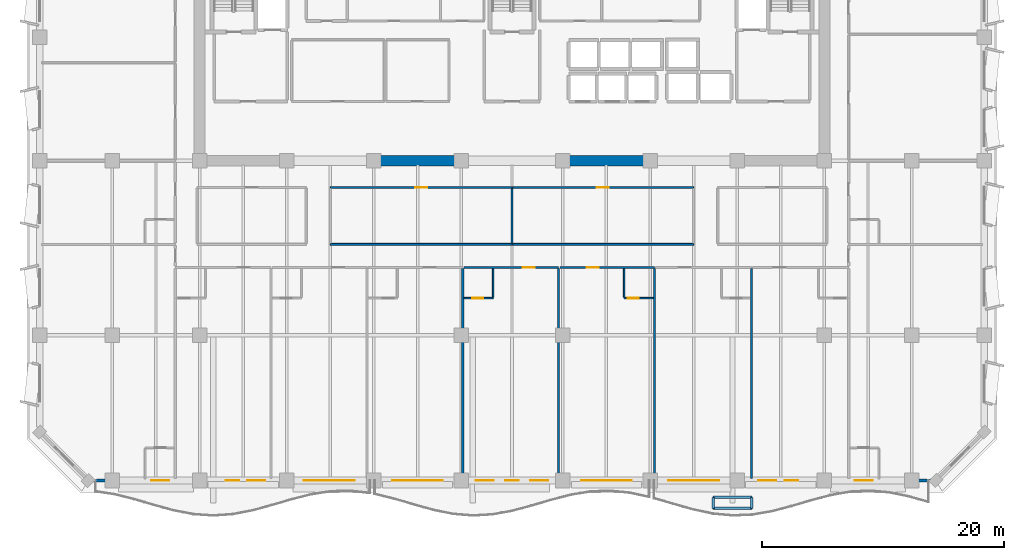
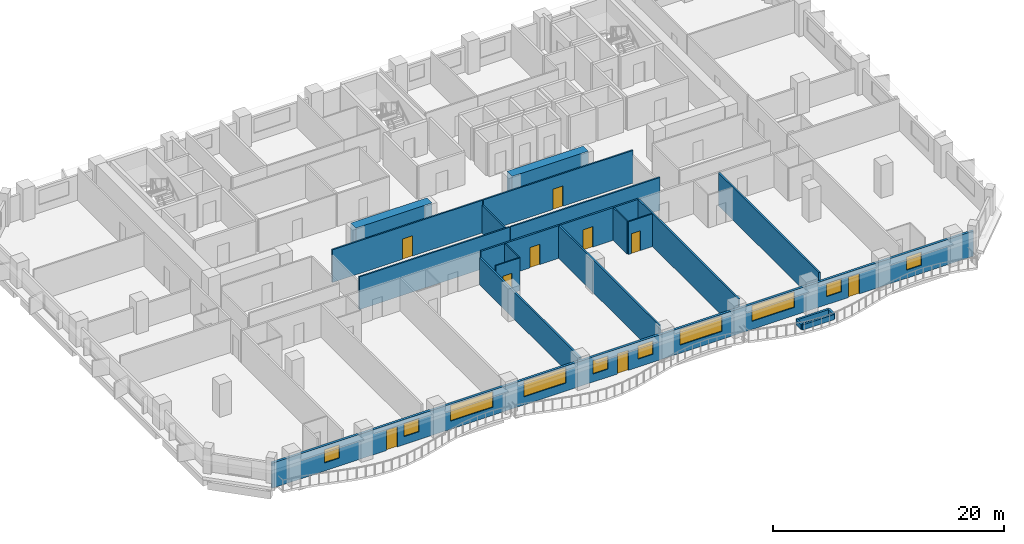
# One storey, part 5 of 15: 22 walls, 10 windows, 9 doors, 19 openings.
"""IFC4 building model written with IfcOpenShell, lengths in metres."""

from ifc_helpers import new_model, si_unit, direction, frame, frame_2d, origin, place, context, subcontext, project, spatial, rectangle, extrude, material, layer, layer_set, type_object, element, fill, save


model = new_model("IFC4")

# Units and contexts
model_context = context("Model", 3, precision=1e-05, world=origin(), true_north=direction((0.0, 1.0)))
body_context = subcontext(model_context, "Body", "Model", "MODEL_VIEW")
ifc_project = project(units=[si_unit("LENGTHUNIT", "METRE"), si_unit("AREAUNIT", "SQUARE_METRE"), si_unit("VOLUMEUNIT", "CUBIC_METRE"), si_unit("PLANEANGLEUNIT", "RADIAN"), si_unit("MASSUNIT", "GRAM", prefix="KILO")], contexts=[model_context])

# Site, building, storey
site_placement = place(None, origin())
site = spatial("IfcSite", under=ifc_project, at=site_placement, CompositionType="ELEMENT")
building_placement = place(site_placement, origin())
building = spatial("IfcBuilding", under=site, at=building_placement, Name="Kaelvorn Grand Hotel", CompositionType="ELEMENT")
storey_placement = place(building_placement, frame((0.0, 0.0, 180.949951171875)))
storey = spatial("IfcBuildingStorey", under=building, at=storey_placement, Name="L44", CompositionType="ELEMENT", Elevation=180.949951171875)

# Walls
ifc_material_1 = material(Name="Concrete C60/75", Category="concrete")
ifc_layer_1 = layer(ifc_material_1, 0.89990234375)
ifc_layer_set_1 = layer_set([ifc_layer_1], Name="Concrete C60/75")
wall_type_1 = type_object("IfcWallType", Name="WL-CORE-900-C60", PredefinedType="SHEAR", material=ifc_layer_set_1)
for number, where, z_axis, x_axis, name in (
    (1, (30.39990234375, 29.39990234375, 0.0), (0.0, 0.0, 1.0), (1.0, 0.0, 0.0), "L44 Rear-Core Coupled Shear Pier S2"),
    (2, (46.0, 29.39990234375, 0.0), (0.0, 0.0, 1.0), (1.0, 0.0, 0.0), "L44 Rear-Core Coupled Shear Pier S3"),
):
    element("IfcWall", number, at=place(storey_placement, frame(where, z_axis=z_axis, x_axis=x_axis)), inside=storey, type_object=wall_type_1, Name=name, PredefinedType="SHEAR", context=body_context, shape_type="SweptSolid", body=[
        extrude(rectangle(XDim=7.60009765625, YDim=0.89990234375, at=frame_2d((3.800048828125, 0.0))), origin(), (0.0, 0.0, 1.0), 3.449951171875),
    ])

# Wall, openings, doors, windows
ifc_material_2 = material(Name="Concrete C40/50", Category="concrete")
ifc_layer_2 = layer(ifc_material_2, 0.239990234375)
ifc_layer_set_2 = layer_set([ifc_layer_2], Name="Concrete C40/50")
wall_type_2 = type_object("IfcWallType", Name="WL-EXT-240-C40", PredefinedType="SOLIDWALL", material=ifc_layer_set_2)
wall_1_placement = place(storey_placement, frame((7.0, 3.0, 0.0), z_axis=(0.0, 0.0, 1.0), x_axis=(1.0, 0.0, 0.0)))
wall_1 = element("IfcWall", 3, at=wall_1_placement, inside=storey, type_object=wall_type_2, Name="L44 Exterior Architectural Concrete Wall 01", PredefinedType="SOLIDWALL", context=body_context, shape_type="SweptSolid", body=[
    extrude(rectangle(XDim=70.0, YDim=0.239990234375, at=frame_2d((35.0, 0.0))), origin(), (0.0, 0.0, 1.0), 2.650146484375),
])
opening_1_placement = place(wall_1_placement, frame((11.38330078125, 0.0, 0.0)))
opening_1 = element("IfcOpeningElement", 4, at=opening_1_placement, cuts=wall_1, Name="Opening DE2", PredefinedType="OPENING", context=body_context, shape_type="SweptSolid", body=[
    extrude(rectangle(XDim=1.10009765625, YDim=2.14990234375, at=frame_2d((0.550048828125, 1.074951171875))), frame((0.0, 0.1298828125, 0.0), z_axis=(0.0, -1.0, 0.0), x_axis=(1.0, 0.0, 0.0)), (0.0, 0.0, 1.0), 0.260009765625),
])
opening_2_placement = place(wall_1_placement, frame((34.449951171875, 0.0, 0.0)))
opening_2 = element("IfcOpeningElement", 5, at=opening_2_placement, cuts=wall_1, Name="Opening DE2", PredefinedType="OPENING", context=body_context, shape_type="SweptSolid", body=[
    extrude(rectangle(XDim=1.10009765625, YDim=2.14990234375, at=frame_2d((0.550048828125, 1.074951171875))), frame((0.0, 0.1298828125, 0.0), z_axis=(0.0, -1.0, 0.0), x_axis=(1.0, 0.0, 0.0)), (0.0, 0.0, 1.0), 0.260009765625),
])
opening_3_placement = place(wall_1_placement, frame((57.5166015625, 0.0, 0.0)))
opening_3 = element("IfcOpeningElement", 6, at=opening_3_placement, cuts=wall_1, Name="Opening DE2", PredefinedType="OPENING", context=body_context, shape_type="SweptSolid", body=[
    extrude(rectangle(XDim=1.10009765625, YDim=2.14990234375, at=frame_2d((0.550048828125, 1.074951171875))), frame((0.0, 0.1298828125, 0.0), z_axis=(0.0, -1.0, 0.0), x_axis=(1.0, 0.0, 0.0)), (0.0, 0.0, 1.0), 0.260009765625),
])
opening_4_placement = place(wall_1_placement, frame((5.199951171875, 0.0, 0.85009765625)))
opening_4 = element("IfcOpeningElement", 7, at=opening_4_placement, cuts=wall_1, Name="Opening W10", PredefinedType="OPENING", context=body_context, shape_type="SweptSolid", body=[
    extrude(rectangle(XDim=1.5, YDim=1.39990234375, at=frame_2d((0.75, 0.699951171875))), frame((0.0, 0.1298828125, 0.0), z_axis=(0.0, -1.0, 0.0), x_axis=(1.0, 0.0, 0.0)), (0.0, 0.0, 1.0), 0.260009765625),
])
opening_5_placement = place(wall_1_placement, frame((13.132568359375, 0.0, 0.85009765625)))
opening_5 = element("IfcOpeningElement", 8, at=opening_5_placement, cuts=wall_1, Name="Opening W10", PredefinedType="OPENING", context=body_context, shape_type="SweptSolid", body=[
    extrude(rectangle(XDim=1.5, YDim=1.39990234375, at=frame_2d((0.75, 0.699951171875))), frame((0.0, 0.1298828125, 0.0), z_axis=(0.0, -1.0, 0.0), x_axis=(1.0, 0.0, 0.0)), (0.0, 0.0, 1.0), 0.260009765625),
])
opening_6_placement = place(wall_1_placement, frame((17.8125, 0.0, 0.85009765625)))
opening_6 = element("IfcOpeningElement", 9, at=opening_6_placement, cuts=wall_1, Name="Opening W2", PredefinedType="OPENING", context=body_context, shape_type="SweptSolid", body=[
    extrude(rectangle(XDim=4.199951171875, YDim=1.64990234375, at=frame_2d((2.10009765625, 0.824951171875))), frame((0.0, 0.1298828125, 0.0), z_axis=(0.0, -1.0, 0.0), x_axis=(1.0, 0.0, 0.0)), (0.0, 0.0, 1.0), 0.260009765625),
])
opening_7_placement = place(wall_1_placement, frame((25.10009765625, 0.0, 0.85009765625)))
opening_7 = element("IfcOpeningElement", 10, at=opening_7_placement, cuts=wall_1, Name="Opening W2", PredefinedType="OPENING", context=body_context, shape_type="SweptSolid", body=[
    extrude(rectangle(XDim=4.199951171875, YDim=1.64990234375, at=frame_2d((2.10009765625, 0.824951171875))), frame((0.0, 0.1298828125, 0.0), z_axis=(0.0, -1.0, 0.0), x_axis=(1.0, 0.0, 0.0)), (0.0, 0.0, 1.0), 0.260009765625),
])
opening_8_placement = place(wall_1_placement, frame((31.989990234375, 0.0, 0.85009765625)))
opening_8 = element("IfcOpeningElement", 11, at=opening_8_placement, cuts=wall_1, Name="Opening W10", PredefinedType="OPENING", context=body_context, shape_type="SweptSolid", body=[
    extrude(rectangle(XDim=1.5, YDim=1.39990234375, at=frame_2d((0.75, 0.699951171875))), frame((0.0, 0.1298828125, 0.0), z_axis=(0.0, -1.0, 0.0), x_axis=(1.0, 0.0, 0.0)), (0.0, 0.0, 1.0), 0.260009765625),
])
opening_9_placement = place(wall_1_placement, frame((36.510009765625, 0.0, 0.85009765625)))
opening_9 = element("IfcOpeningElement", 12, at=opening_9_placement, cuts=wall_1, Name="Opening W10", PredefinedType="OPENING", context=body_context, shape_type="SweptSolid", body=[
    extrude(rectangle(XDim=1.5, YDim=1.39990234375, at=frame_2d((0.75, 0.699951171875))), frame((0.0, 0.1298828125, 0.0), z_axis=(0.0, -1.0, 0.0), x_axis=(1.0, 0.0, 0.0)), (0.0, 0.0, 1.0), 0.260009765625),
])
opening_10_placement = place(wall_1_placement, frame((40.699951171875, 0.0, 0.85009765625)))
opening_10 = element("IfcOpeningElement", 13, at=opening_10_placement, cuts=wall_1, Name="Opening W2", PredefinedType="OPENING", context=body_context, shape_type="SweptSolid", body=[
    extrude(rectangle(XDim=4.199951171875, YDim=1.64990234375, at=frame_2d((2.10009765625, 0.824951171875))), frame((0.0, 0.1298828125, 0.0), z_axis=(0.0, -1.0, 0.0), x_axis=(1.0, 0.0, 0.0)), (0.0, 0.0, 1.0), 0.260009765625),
])
opening_11_placement = place(wall_1_placement, frame((47.89990234375, 0.0, 0.85009765625)))
opening_11 = element("IfcOpeningElement", 14, at=opening_11_placement, cuts=wall_1, Name="Opening W2", PredefinedType="OPENING", context=body_context, shape_type="SweptSolid", body=[
    extrude(rectangle(XDim=4.199951171875, YDim=1.64990234375, at=frame_2d((2.10009765625, 0.824951171875))), frame((0.0, 0.1298828125, 0.0), z_axis=(0.0, -1.0, 0.0), x_axis=(1.0, 0.0, 0.0)), (0.0, 0.0, 1.0), 0.260009765625),
])
opening_12_placement = place(wall_1_placement, frame((55.31396484375, 0.0, 0.85009765625)))
opening_12 = element("IfcOpeningElement", 15, at=opening_12_placement, cuts=wall_1, Name="Opening W10", PredefinedType="OPENING", context=body_context, shape_type="SweptSolid", body=[
    extrude(rectangle(XDim=1.5, YDim=1.39990234375, at=frame_2d((0.75, 0.699951171875))), frame((0.0, 0.1298828125, 0.0), z_axis=(0.0, -1.0, 0.0), x_axis=(1.0, 0.0, 0.0)), (0.0, 0.0, 1.0), 0.260009765625),
])
opening_13_placement = place(wall_1_placement, frame((63.300048828125, 0.0, 0.85009765625)))
opening_13 = element("IfcOpeningElement", 16, at=opening_13_placement, cuts=wall_1, Name="Opening W10", PredefinedType="OPENING", context=body_context, shape_type="SweptSolid", body=[
    extrude(rectangle(XDim=1.5, YDim=1.39990234375, at=frame_2d((0.75, 0.699951171875))), frame((0.0, 0.1298828125, 0.0), z_axis=(0.0, -1.0, 0.0), x_axis=(1.0, 0.0, 0.0)), (0.0, 0.0, 1.0), 0.260009765625),
])
ifc_material_3 = material(Name="Anodised Aluminium", Category="aluminium")
door_type_1 = type_object("IfcDoorType", Name="DR-EXT-BALC-1100x2150", OperationType="NOTDEFINED", PredefinedType="DOOR", material=ifc_material_3)
door_1_placement = place(opening_1_placement, origin())
door_1 = element("IfcDoor", 17, at=door_1_placement, inside=storey, type_object=door_type_1, Name="L44 Scalloped Balcony Glazed Door DE2-1", OperationType="SINGLE_SWING_RIGHT", OverallHeight=2.14990234375, OverallWidth=1.10009765625, PredefinedType="DOOR", context=body_context, shape_type="SweptSolid", body=[
    extrude(rectangle(XDim=1.10009765625, YDim=2.14990234375, at=frame_2d((0.550048828125, 1.074951171875))), frame((0.0, 0.02490234375, 0.0), z_axis=(0.0, -1.0, 0.0), x_axis=(1.0, 0.0, 0.0)), (0.0, 0.0, 1.0), 0.050048828125),
])
fill(opening_1, door_1)
door_2_placement = place(opening_2_placement, origin())
door_2 = element("IfcDoor", 18, at=door_2_placement, inside=storey, type_object=door_type_1, Name="L44 Scalloped Balcony Glazed Door DE2-2", OperationType="SINGLE_SWING_LEFT", OverallHeight=2.14990234375, OverallWidth=1.10009765625, PredefinedType="DOOR", context=body_context, shape_type="SweptSolid", body=[
    extrude(rectangle(XDim=1.10009765625, YDim=2.14990234375, at=frame_2d((0.550048828125, 1.074951171875))), frame((0.0, 0.02490234375, 0.0), z_axis=(0.0, -1.0, 0.0), x_axis=(1.0, 0.0, 0.0)), (0.0, 0.0, 1.0), 0.050048828125),
])
fill(opening_2, door_2)
door_3_placement = place(opening_3_placement, origin())
door_3 = element("IfcDoor", 19, at=door_3_placement, inside=storey, type_object=door_type_1, Name="L44 Scalloped Balcony Glazed Door DE2-3", OperationType="SINGLE_SWING_RIGHT", OverallHeight=2.14990234375, OverallWidth=1.10009765625, PredefinedType="DOOR", context=body_context, shape_type="SweptSolid", body=[
    extrude(rectangle(XDim=1.10009765625, YDim=2.14990234375, at=frame_2d((0.550048828125, 1.074951171875))), frame((0.0, 0.02490234375, 0.0), z_axis=(0.0, -1.0, 0.0), x_axis=(1.0, 0.0, 0.0)), (0.0, 0.0, 1.0), 0.050048828125),
])
fill(opening_3, door_3)
ifc_material_4 = material(Name="Laminated Low-E Glass", Category="glass")
window_type_1 = type_object("IfcWindowType", Name="WIN-COR-1500x1400", PartitioningType="SINGLE_PANEL", PredefinedType="WINDOW", material=ifc_material_4)
window_1_placement = place(opening_4_placement, origin())
window_1 = element("IfcWindow", 20, at=window_1_placement, inside=storey, type_object=window_type_1, Name="L44 South Guestroom Ribbon Window SR01", OverallHeight=1.39990234375, OverallWidth=1.5, PartitioningType="SINGLE_PANEL", PredefinedType="WINDOW", context=body_context, shape_type="SweptSolid", body=[
    extrude(rectangle(XDim=1.5, YDim=1.39990234375, at=frame_2d((0.75, 0.699951171875))), frame((0.0, 0.030029296875, 0.0), z_axis=(0.0, -1.0, 0.0), x_axis=(1.0, 0.0, 0.0)), (0.0, 0.0, 1.0), 0.06005859375),
])
fill(opening_4, window_1)
window_2_placement = place(opening_5_placement, origin())
window_2 = element("IfcWindow", 21, at=window_2_placement, inside=storey, type_object=window_type_1, Name="L44 South Guestroom Ribbon Window SR02", OverallHeight=1.39990234375, OverallWidth=1.5, PartitioningType="SINGLE_PANEL", PredefinedType="WINDOW", context=body_context, shape_type="SweptSolid", body=[
    extrude(rectangle(XDim=1.5, YDim=1.39990234375, at=frame_2d((0.75, 0.699951171875))), frame((0.0, 0.030029296875, 0.0), z_axis=(0.0, -1.0, 0.0), x_axis=(1.0, 0.0, 0.0)), (0.0, 0.0, 1.0), 0.06005859375),
])
fill(opening_5, window_2)
window_3_placement = place(opening_8_placement, origin())
window_3 = element("IfcWindow", 22, at=window_3_placement, inside=storey, type_object=window_type_1, Name="L44 South Guestroom Ribbon Window SR05", OverallHeight=1.39990234375, OverallWidth=1.5, PartitioningType="SINGLE_PANEL", PredefinedType="WINDOW", context=body_context, shape_type="SweptSolid", body=[
    extrude(rectangle(XDim=1.5, YDim=1.39990234375, at=frame_2d((0.75, 0.699951171875))), frame((0.0, 0.030029296875, 0.0), z_axis=(0.0, -1.0, 0.0), x_axis=(1.0, 0.0, 0.0)), (0.0, 0.0, 1.0), 0.06005859375),
])
fill(opening_8, window_3)
window_4_placement = place(opening_9_placement, origin())
window_4 = element("IfcWindow", 23, at=window_4_placement, inside=storey, type_object=window_type_1, Name="L44 South Guestroom Ribbon Window SR06", OverallHeight=1.39990234375, OverallWidth=1.5, PartitioningType="SINGLE_PANEL", PredefinedType="WINDOW", context=body_context, shape_type="SweptSolid", body=[
    extrude(rectangle(XDim=1.5, YDim=1.39990234375, at=frame_2d((0.75, 0.699951171875))), frame((0.0, 0.030029296875, 0.0), z_axis=(0.0, -1.0, 0.0), x_axis=(1.0, 0.0, 0.0)), (0.0, 0.0, 1.0), 0.06005859375),
])
fill(opening_9, window_4)
window_5_placement = place(opening_12_placement, origin())
window_5 = element("IfcWindow", 24, at=window_5_placement, inside=storey, type_object=window_type_1, Name="L44 South Guestroom Ribbon Window SR09", OverallHeight=1.39990234375, OverallWidth=1.5, PartitioningType="SINGLE_PANEL", PredefinedType="WINDOW", context=body_context, shape_type="SweptSolid", body=[
    extrude(rectangle(XDim=1.5, YDim=1.39990234375, at=frame_2d((0.75, 0.699951171875))), frame((0.0, 0.030029296875, 0.0), z_axis=(0.0, -1.0, 0.0), x_axis=(1.0, 0.0, 0.0)), (0.0, 0.0, 1.0), 0.06005859375),
])
fill(opening_12, window_5)
window_6_placement = place(opening_13_placement, origin())
window_6 = element("IfcWindow", 25, at=window_6_placement, inside=storey, type_object=window_type_1, Name="L44 South Guestroom Ribbon Window SR10", OverallHeight=1.39990234375, OverallWidth=1.5, PartitioningType="SINGLE_PANEL", PredefinedType="WINDOW", context=body_context, shape_type="SweptSolid", body=[
    extrude(rectangle(XDim=1.5, YDim=1.39990234375, at=frame_2d((0.75, 0.699951171875))), frame((0.0, 0.030029296875, 0.0), z_axis=(0.0, -1.0, 0.0), x_axis=(1.0, 0.0, 0.0)), (0.0, 0.0, 1.0), 0.06005859375),
])
fill(opening_13, window_6)
window_type_2 = type_object("IfcWindowType", Name="WIN-RIB-4200x1650", PartitioningType="SINGLE_PANEL", PredefinedType="WINDOW", material=ifc_material_4)
window_7_placement = place(opening_6_placement, origin())
window_7 = element("IfcWindow", 26, at=window_7_placement, inside=storey, type_object=window_type_2, Name="L44 South Guestroom Ribbon Window SR03", OverallHeight=1.64990234375, OverallWidth=4.199951171875, PartitioningType="SINGLE_PANEL", PredefinedType="WINDOW", context=body_context, shape_type="SweptSolid", body=[
    extrude(rectangle(XDim=4.199951171875, YDim=1.64990234375, at=frame_2d((2.10009765625, 0.824951171875))), frame((0.0, 0.030029296875, 0.0), z_axis=(0.0, -1.0, 0.0), x_axis=(1.0, 0.0, 0.0)), (0.0, 0.0, 1.0), 0.06005859375),
])
fill(opening_6, window_7)
window_8_placement = place(opening_7_placement, origin())
window_8 = element("IfcWindow", 27, at=window_8_placement, inside=storey, type_object=window_type_2, Name="L44 South Guestroom Ribbon Window SR04", OverallHeight=1.64990234375, OverallWidth=4.199951171875, PartitioningType="SINGLE_PANEL", PredefinedType="WINDOW", context=body_context, shape_type="SweptSolid", body=[
    extrude(rectangle(XDim=4.199951171875, YDim=1.64990234375, at=frame_2d((2.10009765625, 0.824951171875))), frame((0.0, 0.030029296875, 0.0), z_axis=(0.0, -1.0, 0.0), x_axis=(1.0, 0.0, 0.0)), (0.0, 0.0, 1.0), 0.06005859375),
])
fill(opening_7, window_8)
window_9_placement = place(opening_10_placement, origin())
window_9 = element("IfcWindow", 28, at=window_9_placement, inside=storey, type_object=window_type_2, Name="L44 South Guestroom Ribbon Window SR07", OverallHeight=1.64990234375, OverallWidth=4.199951171875, PartitioningType="SINGLE_PANEL", PredefinedType="WINDOW", context=body_context, shape_type="SweptSolid", body=[
    extrude(rectangle(XDim=4.199951171875, YDim=1.64990234375, at=frame_2d((2.10009765625, 0.824951171875))), frame((0.0, 0.030029296875, 0.0), z_axis=(0.0, -1.0, 0.0), x_axis=(1.0, 0.0, 0.0)), (0.0, 0.0, 1.0), 0.06005859375),
])
fill(opening_10, window_9)
window_10_placement = place(opening_11_placement, origin())
window_10 = element("IfcWindow", 29, at=window_10_placement, inside=storey, type_object=window_type_2, Name="L44 South Guestroom Ribbon Window SR08", OverallHeight=1.64990234375, OverallWidth=4.199951171875, PartitioningType="SINGLE_PANEL", PredefinedType="WINDOW", context=body_context, shape_type="SweptSolid", body=[
    extrude(rectangle(XDim=4.199951171875, YDim=1.64990234375, at=frame_2d((2.10009765625, 0.824951171875))), frame((0.0, 0.030029296875, 0.0), z_axis=(0.0, -1.0, 0.0), x_axis=(1.0, 0.0, 0.0)), (0.0, 0.0, 1.0), 0.06005859375),
])
fill(opening_11, window_10)

# Wall, opening, door
ifc_material_5 = material(Name="Moisture-Resistant Tile & Stud Board")
ifc_layer_3 = layer(ifc_material_5, 0.125)
ifc_layer_set_3 = layer_set([ifc_layer_3], Name="Moisture-Resistant Tile & Stud Board")
wall_type_3 = type_object("IfcWallType", Name="WL-PART-125-WET", PredefinedType="PARTITIONING", material=ifc_layer_set_3)
wall_2_placement = place(storey_placement, frame((38.031982421875, 18.050048828125, 0.0), z_axis=(0.0, 0.0, 1.0), x_axis=(1.0, 0.0, 0.0)))
wall_2 = element("IfcWall", 30, at=wall_2_placement, inside=storey, type_object=wall_type_3, Name="L44 En-suite Bathroom L44-04 S Partition", PredefinedType="PARTITIONING", context=body_context, shape_type="SweptSolid", body=[
    extrude(rectangle(XDim=2.405029296875, YDim=0.125, at=frame_2d((1.20263671875, 0.0))), origin(), (0.0, 0.0, 1.0), 3.449951171875),
])
opening_14_placement = place(wall_2_placement, frame((0.705078125, 0.0, 0.0)))
opening_14 = element("IfcOpeningElement", 31, at=opening_14_placement, cuts=wall_2, Name="Opening DI4", PredefinedType="OPENING", context=body_context, shape_type="SweptSolid", body=[
    extrude(rectangle(XDim=0.89990234375, YDim=2.10009765625, at=frame_2d((0.449951171875, 1.050048828125))), frame((0.0, 0.072509765625, 0.0), z_axis=(0.0, -1.0, 0.0), x_axis=(1.0, 0.0, 0.0)), (0.0, 0.0, 1.0), 0.14501953125),
])
ifc_material_6 = material(Name="Timber Veneer Leaf", Category="wood")
door_type_2 = type_object("IfcDoorType", Name="DR-INT-BATH-900x2100", OperationType="NOTDEFINED", PredefinedType="DOOR", material=ifc_material_6)
door_4_placement = place(opening_14_placement, origin())
door_4 = element("IfcDoor", 32, at=door_4_placement, inside=storey, type_object=door_type_2, Name="L44 En-suite Bathroom L44-04 Door", OperationType="SINGLE_SWING_RIGHT", OverallHeight=2.10009765625, OverallWidth=0.89990234375, PredefinedType="DOOR", context=body_context, shape_type="SweptSolid", body=[
    extrude(rectangle(XDim=0.89990234375, YDim=2.10009765625, at=frame_2d((0.449951171875, 1.050048828125))), frame((0.0, 0.02490234375, 0.0), z_axis=(0.0, -1.0, 0.0), x_axis=(1.0, 0.0, 0.0)), (0.0, 0.0, 1.0), 0.050048828125),
])
fill(opening_14, door_4)

# Wall
wall_3_placement = place(storey_placement, frame((40.43701171875, 18.117431640625, 0.0), z_axis=(0.0, 0.0, 1.0), x_axis=(0.0, 1.0, 0.0)))
element("IfcWall", 33, at=wall_3_placement, inside=storey, type_object=wall_type_3, Name="L44 En-suite Bathroom L44-04 E Partition", PredefinedType="PARTITIONING", context=body_context, shape_type="SweptSolid", body=[
    extrude(rectangle(XDim=2.387451171875, YDim=0.125, at=frame_2d((1.19384765625, 0.0))), origin(), (0.0, 0.0, 1.0), 3.449951171875),
])

# Wall, opening, door
wall_4_placement = place(storey_placement, frame((51.261474609375, 18.050048828125, 0.0), z_axis=(0.0, 0.0, 1.0), x_axis=(1.0, 0.0, 0.0)))
wall_4 = element("IfcWall", 34, at=wall_4_placement, inside=storey, type_object=wall_type_3, Name="L44 En-suite Bathroom L44-05 S Partition", PredefinedType="PARTITIONING", context=body_context, shape_type="SweptSolid", body=[
    extrude(rectangle(XDim=2.405029296875, YDim=0.125, at=frame_2d((1.20263671875, 0.0))), origin(), (0.0, 0.0, 1.0), 3.449951171875),
])
opening_15_placement = place(wall_4_placement, frame((0.300048828125, 0.0, 0.0)))
opening_15 = element("IfcOpeningElement", 35, at=opening_15_placement, cuts=wall_4, Name="Opening DI4", PredefinedType="OPENING", context=body_context, shape_type="SweptSolid", body=[
    extrude(rectangle(XDim=0.89990234375, YDim=2.10009765625, at=frame_2d((0.449951171875, 1.050048828125))), frame((0.0, 0.072509765625, 0.0), z_axis=(0.0, -1.0, 0.0), x_axis=(1.0, 0.0, 0.0)), (0.0, 0.0, 1.0), 0.14501953125),
])
door_5_placement = place(opening_15_placement, origin())
door_5 = element("IfcDoor", 36, at=door_5_placement, inside=storey, type_object=door_type_2, Name="L44 En-suite Bathroom L44-05 Door", OperationType="SINGLE_SWING_RIGHT", OverallHeight=2.10009765625, OverallWidth=0.89990234375, PredefinedType="DOOR", context=body_context, shape_type="SweptSolid", body=[
    extrude(rectangle(XDim=0.89990234375, YDim=2.10009765625, at=frame_2d((0.449951171875, 1.050048828125))), frame((0.0, 0.02490234375, 0.0), z_axis=(0.0, -1.0, 0.0), x_axis=(1.0, 0.0, 0.0)), (0.0, 0.0, 1.0), 0.050048828125),
])
fill(opening_15, door_5)

# Walls
wall_5_placement = place(storey_placement, frame((51.261474609375, 18.117431640625, 0.0), z_axis=(0.0, 0.0, 1.0), x_axis=(0.0, 1.0, 0.0)))
element("IfcWall", 37, at=wall_5_placement, inside=storey, type_object=wall_type_3, Name="L44 En-suite Bathroom L44-05 W Partition", PredefinedType="PARTITIONING", context=body_context, shape_type="SweptSolid", body=[
    extrude(rectangle(XDim=2.387451171875, YDim=0.125, at=frame_2d((1.19384765625, 0.0))), origin(), (0.0, 0.0, 1.0), 3.449951171875),
])
ifc_material_7 = material(Name="Acoustic Gypsum & Stud Partition")
ifc_layer_4 = layer(ifc_material_7, 0.14990234375)
ifc_layer_set_4 = layer_set([ifc_layer_4], Name="Acoustic Gypsum & Stud Partition")
wall_type_4 = type_object("IfcWallType", Name="WL-PART-150-EI60", PredefinedType="PARTITIONING", material=ifc_layer_set_4)
wall_6_placement = place(storey_placement, frame((27.0, 22.5, 0.0), z_axis=(0.0, 0.0, 1.0), x_axis=(1.0, 0.0, 0.0)))
element("IfcWall", 38, at=wall_6_placement, inside=storey, type_object=wall_type_4, Name="L44 Sommelier Wine Bar S Partition", PredefinedType="PARTITIONING", context=body_context, shape_type="SweptSolid", body=[
    extrude(rectangle(XDim=15.0, YDim=0.14990234375, at=frame_2d((7.5, 0.0))), origin(), (0.0, 0.0, 1.0), 3.449951171875),
])

# Wall, opening, door
wall_7_placement = place(storey_placement, frame((27.0, 27.199951171875, 0.0), z_axis=(0.0, 0.0, 1.0), x_axis=(1.0, 0.0, 0.0)))
wall_7 = element("IfcWall", 39, at=wall_7_placement, inside=storey, type_object=wall_type_4, Name="L44 Sommelier Wine Bar N Partition", PredefinedType="PARTITIONING", context=body_context, shape_type="SweptSolid", body=[
    extrude(rectangle(XDim=15.0, YDim=0.14990234375, at=frame_2d((7.5, 0.0))), origin(), (0.0, 0.0, 1.0), 3.449951171875),
])
opening_16_placement = place(wall_7_placement, frame((7.0, 0.0, 0.0)))
opening_16 = element("IfcOpeningElement", 40, at=opening_16_placement, cuts=wall_7, Name="Opening DI3", PredefinedType="OPENING", context=body_context, shape_type="SweptSolid", body=[
    extrude(rectangle(XDim=1.0, YDim=2.14990234375, at=frame_2d((0.5, 1.074951171875))), frame((0.0, 0.0849609375, 0.0), z_axis=(0.0, -1.0, 0.0), x_axis=(1.0, 0.0, 0.0)), (0.0, 0.0, 1.0), 0.169921875),
])
ifc_material_8 = material(Name="Timber Veneer Fire Leaf", Category="wood")
door_type_3 = type_object("IfcDoorType", Name="DR-INT-GUEST-1000x2150", OperationType="NOTDEFINED", PredefinedType="DOOR", material=ifc_material_8)
door_6_placement = place(opening_16_placement, origin())
door_6 = element("IfcDoor", 41, at=door_6_placement, inside=storey, type_object=door_type_3, Name="L44 Sommelier Wine Bar Door", OperationType="SINGLE_SWING_RIGHT", OverallHeight=2.14990234375, OverallWidth=1.0, PredefinedType="DOOR", context=body_context, shape_type="SweptSolid", body=[
    extrude(rectangle(XDim=1.0, YDim=2.14990234375, at=frame_2d((0.5, 1.074951171875))), frame((0.0, 0.02490234375, 0.0), z_axis=(0.0, -1.0, 0.0), x_axis=(1.0, 0.0, 0.0)), (0.0, 0.0, 1.0), 0.050048828125),
])
fill(opening_16, door_6)

# Walls
wall_8_placement = place(storey_placement, frame((42.0, 22.580078125, 0.0), z_axis=(0.0, 0.0, 1.0), x_axis=(0.0, 1.0, 0.0)))
element("IfcWall", 42, at=wall_8_placement, inside=storey, type_object=wall_type_4, Name="L44 Sommelier Wine Bar E Partition", PredefinedType="PARTITIONING", context=body_context, shape_type="SweptSolid", body=[
    extrude(rectangle(XDim=4.5400390625, YDim=0.14990234375, at=frame_2d((2.27001953125, 0.0))), origin(), (0.0, 0.0, 1.0), 2.949951171875),
])
wall_9_placement = place(storey_placement, frame((42.080078125, 22.5, 0.0), z_axis=(0.0, 0.0, 1.0), x_axis=(1.0, 0.0, 0.0)))
element("IfcWall", 43, at=wall_9_placement, inside=storey, type_object=wall_type_4, Name="L44 Business Meeting Room S Partition", PredefinedType="PARTITIONING", context=body_context, shape_type="SweptSolid", body=[
    extrude(rectangle(XDim=14.919921875, YDim=0.14990234375, at=frame_2d((7.4599609375, 0.0))), origin(), (0.0, 0.0, 1.0), 3.449951171875),
])

# Wall, opening, door
wall_10_placement = place(storey_placement, frame((42.080078125, 27.199951171875, 0.0), z_axis=(0.0, 0.0, 1.0), x_axis=(1.0, 0.0, 0.0)))
wall_10 = element("IfcWall", 44, at=wall_10_placement, inside=storey, type_object=wall_type_4, Name="L44 Business Meeting Room N Partition", PredefinedType="PARTITIONING", context=body_context, shape_type="SweptSolid", body=[
    extrude(rectangle(XDim=14.919921875, YDim=0.14990234375, at=frame_2d((7.4599609375, 0.0))), origin(), (0.0, 0.0, 1.0), 3.449951171875),
])
opening_17_placement = place(wall_10_placement, frame((6.919921875, 0.0, 0.0)))
opening_17 = element("IfcOpeningElement", 45, at=opening_17_placement, cuts=wall_10, Name="Opening DI3", PredefinedType="OPENING", context=body_context, shape_type="SweptSolid", body=[
    extrude(rectangle(XDim=1.0, YDim=2.14990234375, at=frame_2d((0.5, 1.074951171875))), frame((0.0, 0.0849609375, 0.0), z_axis=(0.0, -1.0, 0.0), x_axis=(1.0, 0.0, 0.0)), (0.0, 0.0, 1.0), 0.169921875),
])
door_7_placement = place(opening_17_placement, origin())
door_7 = element("IfcDoor", 46, at=door_7_placement, inside=storey, type_object=door_type_3, Name="L44 Business Meeting Room Door", OperationType="SINGLE_SWING_LEFT", OverallHeight=2.14990234375, OverallWidth=1.0, PredefinedType="DOOR", context=body_context, shape_type="SweptSolid", body=[
    extrude(rectangle(XDim=1.0, YDim=2.14990234375, at=frame_2d((0.5, 1.074951171875))), frame((0.0, 0.02490234375, 0.0), z_axis=(0.0, -1.0, 0.0), x_axis=(1.0, 0.0, 0.0)), (0.0, 0.0, 1.0), 0.050048828125),
])
fill(opening_17, door_7)

# Wall
ifc_layer_5 = layer(ifc_material_7, 0.179931640625)
ifc_layer_set_5 = layer_set([ifc_layer_5], Name="Acoustic Gypsum & Stud Partition")
wall_type_5 = type_object("IfcWallType", Name="WL-PART-180-EI60", PredefinedType="PARTITIONING", material=ifc_layer_set_5)
wall_11_placement = place(storey_placement, frame((37.93701171875, 3.14990234375, 0.0), z_axis=(0.0, 0.0, 1.0), x_axis=(0.0, 1.0, 0.0)))
element("IfcWall", 47, at=wall_11_placement, inside=storey, type_object=wall_type_5, Name="L44 Mid-Rise Signature Suite L44-03 E Partition", PredefinedType="PARTITIONING", context=body_context, shape_type="SweptSolid", body=[
    extrude(rectangle(XDim=17.35498046875, YDim=0.179931640625, at=frame_2d((8.677490234375, 0.0))), origin(), (0.0, 0.0, 1.0), 2.85009765625),
])

# Wall, opening, door
wall_12_placement = place(storey_placement, frame((38.031982421875, 20.60009765625, 0.0), z_axis=(0.0, 0.0, 1.0), x_axis=(1.0, 0.0, 0.0)))
wall_12 = element("IfcWall", 48, at=wall_12_placement, inside=storey, type_object=wall_type_5, Name="L44 Mid-Rise Signature Suite L44-04 N Partition", PredefinedType="PARTITIONING", context=body_context, shape_type="SweptSolid", body=[
    extrude(rectangle(XDim=7.817138671875, YDim=0.179931640625, at=frame_2d((3.90869140625, 0.0))), origin(), (0.0, 0.0, 1.0), 3.449951171875),
])
opening_18_placement = place(wall_12_placement, frame((4.8466796875, 0.0, 0.0)))
opening_18 = element("IfcOpeningElement", 49, at=opening_18_placement, cuts=wall_12, Name="Opening DI3", PredefinedType="OPENING", context=body_context, shape_type="SweptSolid", body=[
    extrude(rectangle(XDim=1.0, YDim=2.14990234375, at=frame_2d((0.5, 1.074951171875))), frame((0.0, 0.10009765625, 0.0), z_axis=(0.0, -1.0, 0.0), x_axis=(1.0, 0.0, 0.0)), (0.0, 0.0, 1.0), 0.199951171875),
])
door_8_placement = place(opening_18_placement, origin())
door_8 = element("IfcDoor", 50, at=door_8_placement, inside=storey, type_object=door_type_3, Name="L44 Mid-Rise Signature Suite L44-04 Door", OperationType="SINGLE_SWING_LEFT", OverallHeight=2.14990234375, OverallWidth=1.0, PredefinedType="DOOR", context=body_context, shape_type="SweptSolid", body=[
    extrude(rectangle(XDim=1.0, YDim=2.14990234375, at=frame_2d((0.5, 1.074951171875))), frame((0.0, 0.02490234375, 0.0), z_axis=(0.0, -1.0, 0.0), x_axis=(1.0, 0.0, 0.0)), (0.0, 0.0, 1.0), 0.050048828125),
])
fill(opening_18, door_8)

# Wall
wall_13_placement = place(storey_placement, frame((45.84912109375, 3.14990234375, 0.0), z_axis=(0.0, 0.0, 1.0), x_axis=(0.0, 1.0, 0.0)))
element("IfcWall", 51, at=wall_13_placement, inside=storey, type_object=wall_type_5, Name="L44 Mid-Rise Signature Suite L44-04 E Partition", PredefinedType="PARTITIONING", context=body_context, shape_type="SweptSolid", body=[
    extrude(rectangle(XDim=17.35498046875, YDim=0.179931640625, at=frame_2d((8.677490234375, 0.0))), origin(), (0.0, 0.0, 1.0), 3.449951171875),
])

# Wall, opening, door
wall_14_placement = place(storey_placement, frame((45.944091796875, 20.60009765625, 0.0), z_axis=(0.0, 0.0, 1.0), x_axis=(1.0, 0.0, 0.0)))
wall_14 = element("IfcWall", 52, at=wall_14_placement, inside=storey, type_object=wall_type_5, Name="L44 Mid-Rise Signature Suite L44-05 N Partition", PredefinedType="PARTITIONING", context=body_context, shape_type="SweptSolid", body=[
    extrude(rectangle(XDim=7.8173828125, YDim=0.179931640625, at=frame_2d((3.90869140625, 0.0))), origin(), (0.0, 0.0, 1.0), 3.449951171875),
])
opening_19_placement = place(wall_14_placement, frame((2.2265625, 0.0, 0.0)))
opening_19 = element("IfcOpeningElement", 53, at=opening_19_placement, cuts=wall_14, Name="Opening DI3", PredefinedType="OPENING", context=body_context, shape_type="SweptSolid", body=[
    extrude(rectangle(XDim=1.0, YDim=2.14990234375, at=frame_2d((0.5, 1.074951171875))), frame((0.0, 0.10009765625, 0.0), z_axis=(0.0, -1.0, 0.0), x_axis=(1.0, 0.0, 0.0)), (0.0, 0.0, 1.0), 0.199951171875),
])
door_9_placement = place(opening_19_placement, origin())
door_9 = element("IfcDoor", 54, at=door_9_placement, inside=storey, type_object=door_type_3, Name="L44 Mid-Rise Signature Suite L44-05 Door", OperationType="SINGLE_SWING_LEFT", OverallHeight=2.14990234375, OverallWidth=1.0, PredefinedType="DOOR", context=body_context, shape_type="SweptSolid", body=[
    extrude(rectangle(XDim=1.0, YDim=2.14990234375, at=frame_2d((0.5, 1.074951171875))), frame((0.0, 0.02490234375, 0.0), z_axis=(0.0, -1.0, 0.0), x_axis=(1.0, 0.0, 0.0)), (0.0, 0.0, 1.0), 0.050048828125),
])
fill(opening_19, door_9)

# Walls
for number, where, z_axis, x_axis, name in (
    (55, (53.761474609375, 3.14990234375, 0.0), (0.0, 0.0, 1.0), (0.0, 1.0, 0.0), "L44 Mid-Rise Signature Suite L44-05 E Partition"),
    (56, (61.78076171875, 3.14990234375, 0.0), (0.0, 0.0, 1.0), (0.0, 1.0, 0.0), "L44 Mid-Rise Signature Suite L44-06 E Partition"),
):
    element("IfcWall", number, at=place(storey_placement, frame(where, z_axis=z_axis, x_axis=x_axis)), inside=storey, type_object=wall_type_5, Name=name, PredefinedType="PARTITIONING", context=body_context, shape_type="SweptSolid", body=[
        extrude(rectangle(XDim=17.35498046875, YDim=0.179931640625, at=frame_2d((8.677490234375, 0.0))), origin(), (0.0, 0.0, 1.0), 3.449951171875),
    ])
ifc_layer_6 = layer(ifc_material_2, 0.199951171875)
ifc_layer_set_6 = layer_set([ifc_layer_6], Name="Concrete C40/50")
wall_type_6 = type_object("IfcWallType", Name="WL-TREE-PLANTER-200", PredefinedType="PARAPET", material=ifc_layer_set_6)
wall_15_placement = place(storey_placement, frame((58.609619140625, 0.699951171875, 0.0), z_axis=(0.0, 0.0, 1.0), x_axis=(1.0, 0.0, 0.0)))
element("IfcWall", 57, at=wall_15_placement, inside=storey, type_object=wall_type_6, Name="L44 Planted Balcony Structural TREE PLANTER Kerb 1-S", PredefinedType="PARAPET", context=body_context, shape_type="SweptSolid", body=[
    extrude(rectangle(XDim=3.199951171875, YDim=0.199951171875, at=frame_2d((1.60009765625, 0.0))), origin(), (0.0, 0.0, 1.0), 0.550048828125),
])
wall_16_placement = place(storey_placement, frame((61.8095703125, 0.699951171875, 0.0), z_axis=(0.0, 0.0, 1.0), x_axis=(0.0, 1.0, 0.0)))
element("IfcWall", 58, at=wall_16_placement, inside=storey, type_object=wall_type_6, Name="L44 Planted Balcony Structural TREE PLANTER Kerb 1-E", PredefinedType="PARAPET", context=body_context, shape_type="SweptSolid", body=[
    extrude(rectangle(XDim=0.900146484375, YDim=0.199951171875, at=frame_2d((0.4501953125, 0.0))), origin(), (0.0, 0.0, 1.0), 0.550048828125),
])
wall_17_placement = place(storey_placement, frame((61.8095703125, 1.60009765625, 0.0), z_axis=(0.0, 0.0, 1.0), x_axis=(-1.0, 0.0, 0.0)))
element("IfcWall", 59, at=wall_17_placement, inside=storey, type_object=wall_type_6, Name="L44 Planted Balcony Structural TREE PLANTER Kerb 1-N", PredefinedType="PARAPET", context=body_context, shape_type="SweptSolid", body=[
    extrude(rectangle(XDim=3.199951171875, YDim=0.199951171875, at=frame_2d((1.60009765625, 0.0))), origin(), (0.0, 0.0, 1.0), 0.550048828125),
])
wall_18_placement = place(storey_placement, frame((58.609619140625, 1.60009765625, 0.0), z_axis=(0.0, 0.0, 1.0), x_axis=(0.0, -1.0, 0.0)))
element("IfcWall", 60, at=wall_18_placement, inside=storey, type_object=wall_type_6, Name="L44 Planted Balcony Structural TREE PLANTER Kerb 1-W", PredefinedType="PARAPET", context=body_context, shape_type="SweptSolid", body=[
    extrude(rectangle(XDim=0.900146484375, YDim=0.199951171875, at=frame_2d((0.4501953125, 0.0))), origin(), (0.0, 0.0, 1.0), 0.550048828125),
])

save(model, "model.ifc")
